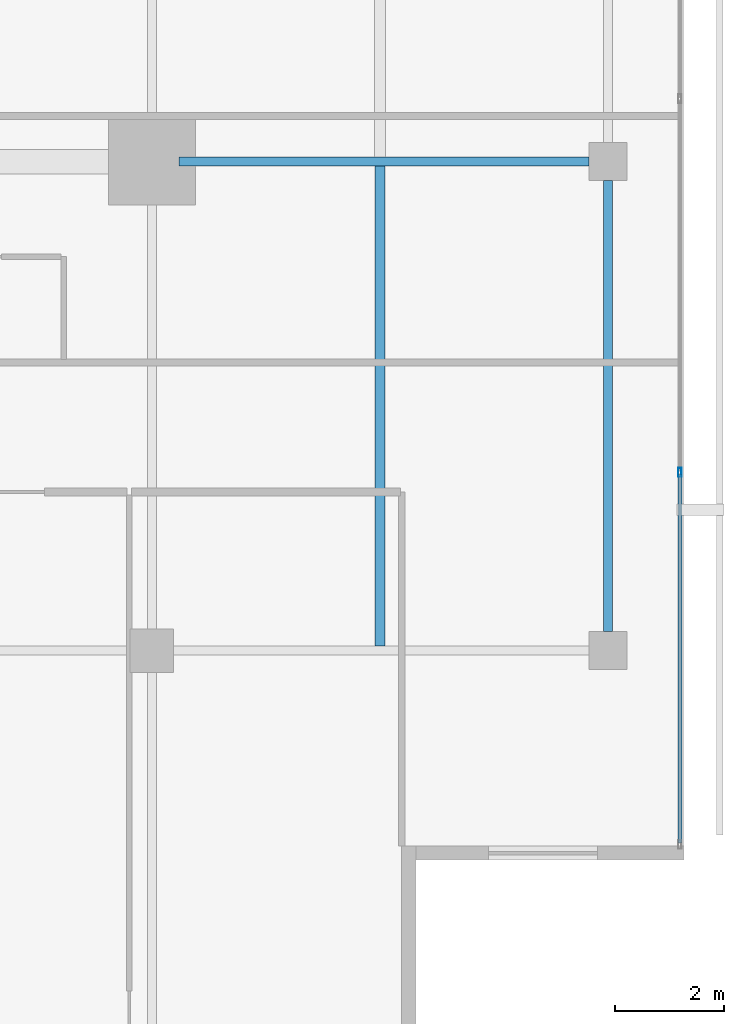
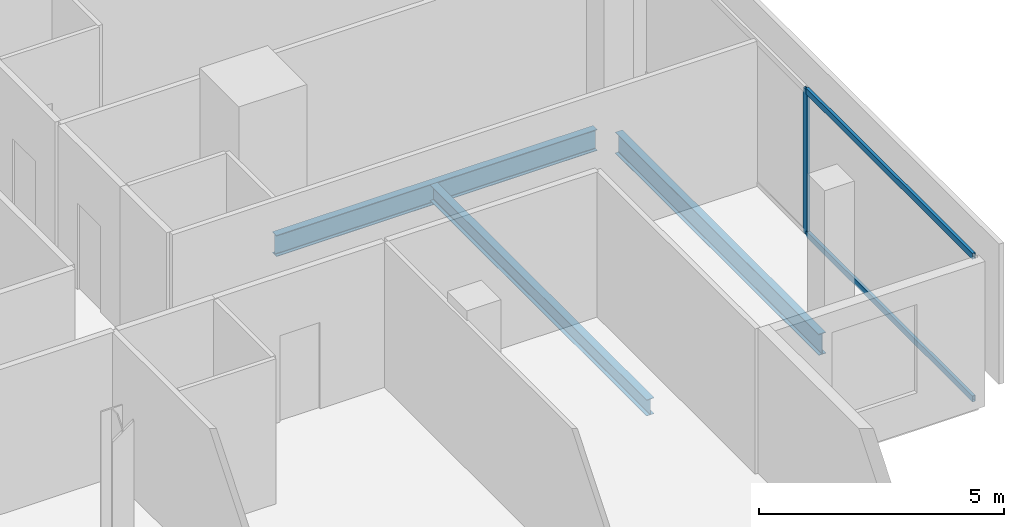
# One storey, part 12 of 25: 3 beams, 3 members, 1 element without a shape of its own.
"""IFC4 building model written with IfcOpenShell, lengths in metres."""

from ifc_helpers import new_model, si_unit, direction, frame, origin, origin_2d, place, context, subcontext, project, spatial, hollow_rectangle, i_section, extrude, material, layer, layer_set, material_profile, profile_set, type_object, element, aggregate, save


model = new_model("IFC4")

# Units and contexts
model_context = context("Model", 3, precision=1e-05, world=origin(), true_north=direction((0.0, 1.0)))
body_context = subcontext(model_context, "Body", "Model", "MODEL_VIEW")
ifc_project = project(units=[si_unit("LENGTHUNIT", "METRE"), si_unit("AREAUNIT", "SQUARE_METRE"), si_unit("VOLUMEUNIT", "CUBIC_METRE"), si_unit("PLANEANGLEUNIT", "RADIAN"), si_unit("MASSUNIT", "GRAM", prefix="KILO")], contexts=[model_context])

# Site, building, storey
site_placement = place(None, origin())
site = spatial("IfcSite", under=ifc_project, at=site_placement, CompositionType="ELEMENT")
building_placement = place(site_placement, origin())
building = spatial("IfcBuilding", under=site, at=building_placement, Name="Maruvema Waterfront Hotel and Observation Tower", CompositionType="ELEMENT")
storey_placement = place(building_placement, frame((0.0, 0.0, 297.14990234375)))
storey = spatial("IfcBuildingStorey", under=building, at=storey_placement, Name="L73", CompositionType="ELEMENT", Elevation=297.14990234375)

# Curtain wall, members
ifc_material_1 = material(Name="Anodised bronze aluminium and solar-control low-E IGU", Category="aluminium")
ifc_layer = layer(ifc_material_1, 0.159912109375, Name="Zone 3 Champagne Inner Thermal Curtain Wall System CW-04")
ifc_layer_set = layer_set([ifc_layer], Name="Anodised bronze aluminium and solar-control low-E IGU")
curtain_wall_type = type_object("IfcCurtainWallType", Name="Zone 3 Champagne Inner Thermal Curtain Wall System CW-04", PredefinedType="USERDEFINED", material=ifc_layer_set)
curtain_wall_placement = place(storey_placement, origin())
curtain_wall = element("IfcCurtainWall", 1, at=curtain_wall_placement, inside=storey, type_object=curtain_wall_type, Name="L73 Curtain Wall CW-L73-E", ObjectType="UNITISED CURTAIN WALL", PredefinedType="USERDEFINED")
ifc_material_2 = material(Name="Anodised architectural bronze aluminium", Category="aluminium")
ifc_material_profile_1 = material_profile(ifc_material_2, hollow_rectangle(XDim=0.070068359375, YDim=0.14990234375, WallThickness=0.00390625, at=origin_2d()), Name="ALU-T70x150")
ifc_profile_set_1 = profile_set([ifc_material_profile_1], Name="Anodised architectural bronze aluminium")
member_type_1 = type_object("IfcMemberType", Name="Curtain Wall Horizontal Transom ALU-T70x150", PredefinedType="USERDEFINED", material=ifc_profile_set_1)
member_1_placement = place(storey_placement, frame((60.1201171875, 14.4599609375, 0.030029296875), z_axis=(0.0, 1.0, 0.0), x_axis=(-1.0, 0.0, 0.0)))
member_1 = element("IfcMember", 2, at=member_1_placement, type_object=member_type_1, Name="CW-04 transom 1.1", ObjectType="TRANSOM", PredefinedType="USERDEFINED", context=body_context, shape_type="SweptSolid", body=[
    extrude(hollow_rectangle(XDim=0.070068359375, YDim=0.14990234375, WallThickness=0.00390625, at=origin_2d()), origin(), (0.0, 0.0, 1.0), 6.7900390625),
])
member_2_placement = place(storey_placement, frame((60.1201171875, 14.4599609375, 3.580078125), z_axis=(0.0, 1.0, 0.0), x_axis=(-1.0, 0.0, 0.0)))
member_2 = element("IfcMember", 3, at=member_2_placement, type_object=member_type_1, Name="CW-04 transom 1.2", ObjectType="TRANSOM", PredefinedType="USERDEFINED", context=body_context, shape_type="SweptSolid", body=[
    extrude(hollow_rectangle(XDim=0.070068359375, YDim=0.14990234375, WallThickness=0.00390625, at=origin_2d()), origin(), (0.0, 0.0, 1.0), 6.7900390625),
])
ifc_material_3 = material(Name="Anodised architectural bronze aluminium", Category="aluminium")
ifc_material_profile_2 = material_profile(ifc_material_3, hollow_rectangle(XDim=0.06494140625, YDim=0.1650390625, WallThickness=0.00390625, at=origin_2d()), Name="ALU-M65x165")
ifc_profile_set_2 = profile_set([ifc_material_profile_2], Name="Anodised architectural bronze aluminium")
member_type_2 = type_object("IfcMemberType", Name="Curtain Wall Primary Mullion ALU-M65x165", PredefinedType="MULLION", material=ifc_profile_set_2)
member_3_placement = place(storey_placement, frame((60.1201171875, 21.280029296875, 0.0), z_axis=(0.0, 0.0, 1.0), x_axis=(-1.0, 0.0, 0.0)))
member_3 = element("IfcMember", 4, at=member_3_placement, type_object=member_type_2, Name="CW-04 mullion 2", PredefinedType="MULLION", context=body_context, shape_type="SweptSolid", body=[
    extrude(hollow_rectangle(XDim=0.06494140625, YDim=0.1650390625, WallThickness=0.00390625, at=origin_2d()), origin(), (0.0, 0.0, 1.0), 3.610107421875),
])
aggregate(curtain_wall, [member_3, member_1, member_2])

# Beams
ifc_material_4 = material(Name="Steel ASTM A572 Grade 50", Category="steel")
ifc_material_profile_3 = material_profile(ifc_material_4, i_section(OverallWidth=0.166015625, OverallDepth=0.529052734375, WebThickness=0.009765625, FlangeThickness=0.013671875, FilletRadius=0.014892578125, at=origin_2d()), Name="W530x74.0")
ifc_profile_set_3 = profile_set([ifc_material_profile_3], Name="Steel ASTM A572 Grade 50")
beam_type_1 = type_object("IfcBeamType", Name="Primary Floor Girder W530x74.0", PredefinedType="BEAM", material=ifc_profile_set_3)
beam_1_placement = place(storey_placement, frame((50.89990234375, 27.0, -0.50439453125), z_axis=(1.0, 0.0, 0.0), x_axis=(0.0, 1.0, 0.0)))
element("IfcBeam", 5, at=beam_1_placement, inside=storey, type_object=beam_type_1, Name="L73 Floor Girder EW-11", PredefinedType="BEAM", context=body_context, shape_type="SweptSolid", body=[
    extrude(i_section(OverallWidth=0.166015625, OverallDepth=0.529052734375, WebThickness=0.009765625, FlangeThickness=0.013671875, FilletRadius=0.014892578125, at=origin_2d()), origin(), (0.0, 0.0, 1.0), 7.550048828125),
])
beam_2_placement = place(storey_placement, frame((58.800048828125, 18.35009765625, -0.50439453125), z_axis=(0.0, 1.0, 0.0), x_axis=(-1.0, 0.0, 0.0)))
element("IfcBeam", 6, at=beam_2_placement, inside=storey, type_object=beam_type_1, Name="L73 Floor Girder NS-16", PredefinedType="BEAM", context=body_context, shape_type="SweptSolid", body=[
    extrude(i_section(OverallWidth=0.166015625, OverallDepth=0.529052734375, WebThickness=0.009765625, FlangeThickness=0.013671875, FilletRadius=0.014892578125, at=origin_2d()), origin(), (0.0, 0.0, 1.0), 8.2998046875),
])
ifc_material_5 = material(Name="Steel ASTM A572 Grade 50", Category="steel")
ifc_material_profile_4 = material_profile(ifc_material_5, i_section(OverallWidth=0.177001953125, OverallDepth=0.403076171875, WebThickness=0.007568359375, FlangeThickness=0.010986328125, FilletRadius=0.014892578125, at=origin_2d()), Name="W410x53.0")
ifc_profile_set_4 = profile_set([ifc_material_profile_4], Name="Steel ASTM A572 Grade 50")
beam_type_2 = type_object("IfcBeamType", Name="Secondary Floor Joist W410x53.0", PredefinedType="JOIST", material=ifc_profile_set_4)
beam_3_placement = place(storey_placement, frame((54.60009765625, 18.0830078125, -0.44140625), z_axis=(0.0, 1.0, 0.0), x_axis=(-1.0, 0.0, 0.0)))
element("IfcBeam", 7, at=beam_3_placement, inside=storey, type_object=beam_type_2, Name="L73 Secondary Floor Joist JS-07", PredefinedType="JOIST", context=body_context, shape_type="SweptSolid", body=[
    extrude(i_section(OverallWidth=0.177001953125, OverallDepth=0.403076171875, WebThickness=0.007568359375, FlangeThickness=0.010986328125, FilletRadius=0.014892578125, at=origin_2d()), origin(), (0.0, 0.0, 1.0), 8.833984375),
])

save(model, "model.ifc")
